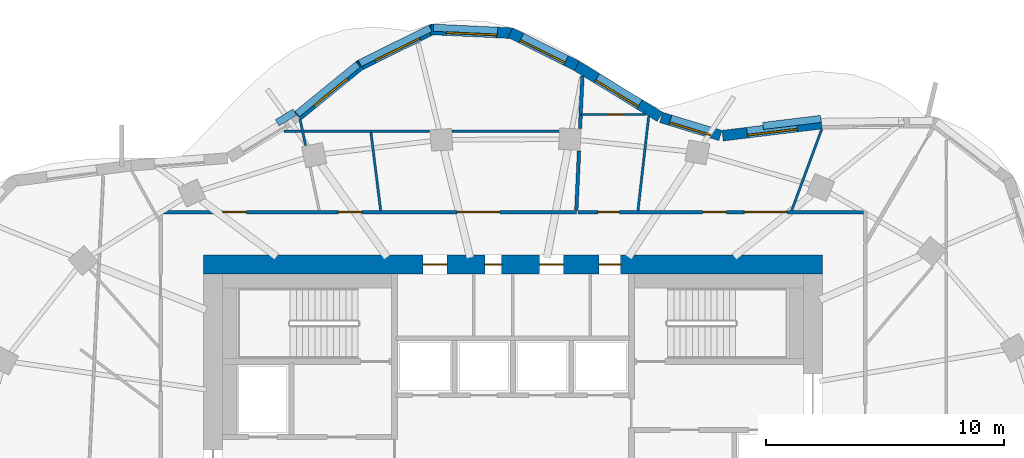
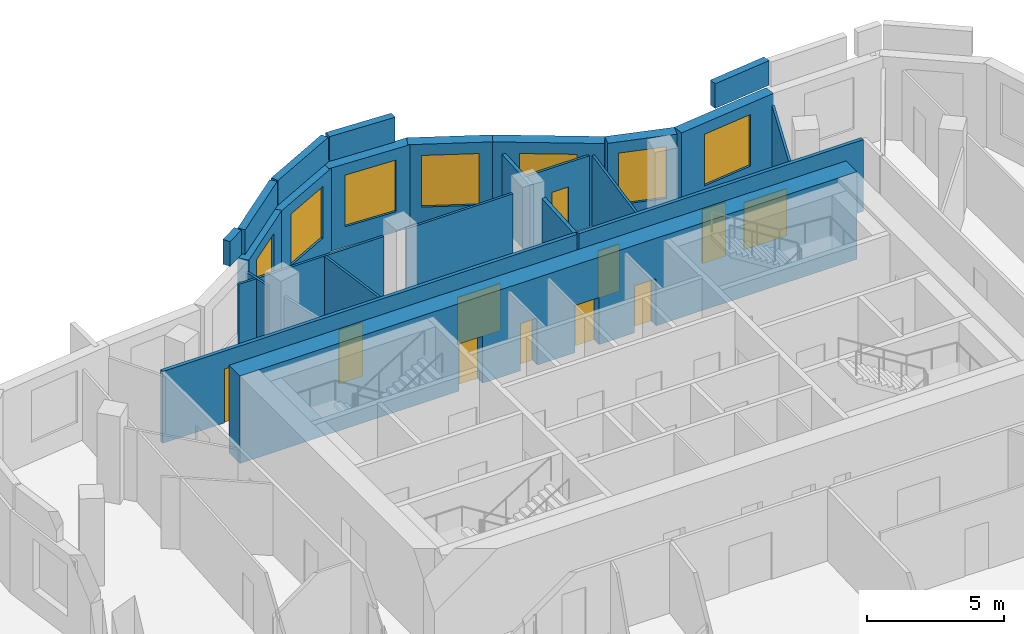
# One storey, part 9 of 12: 24 walls, 11 doors, 7 windows, 18 openings.
"""IFC4 building model written with IfcOpenShell, lengths in metres."""

import ifcopenshell
import ifcopenshell.guid

model = None  # the IFC model being written
_history = None  # IfcOwnerHistory: only IFC2X3 demands one
_inside = {}  # id of a spatial element -> (the spatial element, [elements in it])
_under = {}  # id of a project, library or spatial element -> (it, [spatial elements below it])
_declared = {}  # id of a project -> (the project, [libraries it declares])
_typed = {}  # id of a type object -> (the type object, [elements of that type])
_made_of = {}  # id of a material, layer set ... -> (it, [elements and type objects made of it])


def new_model(schema):
    """Start an empty IFC model of exactly this schema.

    Asked for "IFC4X3", IfcOpenShell would pick the latest addendum, in which some entities
    have other attributes; the version numbers below select the first issue.
    IFC2X3 requires an IfcOwnerHistory on every rooted entity: one is made here for all.
    """
    global model, _history
    if schema == "IFC4X3":
        model = ifcopenshell.file(schema_version=(4, 3, 0, 0))
    else:
        model = ifcopenshell.file(schema=schema)
    _inside.clear()
    _under.clear()
    _declared.clear()
    _typed.clear()
    _made_of.clear()
    _history = None
    if model.schema == "IFC2X3":
        org = make("IfcOrganization", Name="unknown")
        user = make(
            "IfcPersonAndOrganization",
            ThePerson=make("IfcPerson", FamilyName="unknown"),
            TheOrganization=org,
        )
        app = make(
            "IfcApplication",
            ApplicationDeveloper=org,
            Version="unknown",
            ApplicationFullName="unknown",
            ApplicationIdentifier="unknown",
        )
        _history = make(
            "IfcOwnerHistory",
            OwningUser=user,
            OwningApplication=app,
            ChangeAction="ADDED",
            CreationDate=0,
        )
    return model


def make(cls, **values):
    """One entity of the class cls with the attributes given. An attribute that is None is left unset."""
    return model.create_entity(
        cls, **{name: value for name, value in values.items() if value is not None}
    )


def rooted(cls, **values):
    """An entity with a GlobalId (a new one), such as an element, a storey or a relation."""
    return make(cls, GlobalId=ifcopenshell.guid.new(), OwnerHistory=_history, **values)


def si_unit(unit_type, name, prefix=None):
    """IfcSIUnit, for example si_unit("LENGTHUNIT", "METRE", prefix="MILLI")."""
    return make("IfcSIUnit", UnitType=unit_type, Prefix=prefix, Name=name)


def assignment(units):
    """IfcUnitAssignment: the units of a project."""
    return None if units is None else make("IfcUnitAssignment", Units=units)


def point(xyz):
    """IfcCartesianPoint."""
    return None if xyz is None else make("IfcCartesianPoint", Coordinates=xyz)


def direction(xyz):
    """IfcDirection."""
    return None if xyz is None else make("IfcDirection", DirectionRatios=xyz)


def frame(location, z_axis=None, x_axis=None):
    """IfcAxis2Placement3D, a coordinate frame: its origin and axes. An axis left out is left unset."""
    return make(
        "IfcAxis2Placement3D",
        Location=point(location),
        Axis=direction(z_axis),
        RefDirection=direction(x_axis),
    )


def frame_2d(location, x_axis=None):
    """IfcAxis2Placement2D, a coordinate frame in the plane: its origin and x axis."""
    return make(
        "IfcAxis2Placement2D", Location=point(location), RefDirection=direction(x_axis)
    )


def origin():
    """The frame at (0, 0, 0) with its axes left unset."""
    return frame((0.0, 0.0, 0.0))


def place(relative_to, where):
    """IfcLocalPlacement: puts the frame where relative to a parent placement (None: the world)."""
    return make(
        "IfcLocalPlacement", PlacementRelTo=relative_to, RelativePlacement=where
    )


def context(
    kind, dimensions, precision=None, world=None, true_north=None, identifier=None
):
    """IfcGeometricRepresentationContext, for example the 3D "Model" context."""
    return make(
        "IfcGeometricRepresentationContext",
        ContextIdentifier=identifier,
        ContextType=kind,
        CoordinateSpaceDimension=dimensions,
        Precision=precision,
        WorldCoordinateSystem=world,
        TrueNorth=true_north,
    )


def subcontext(parent, identifier, kind, view, scale=None):
    """IfcGeometricRepresentationSubContext, for example "Body" below "Model"."""
    return make(
        "IfcGeometricRepresentationSubContext",
        ContextIdentifier=identifier,
        ContextType=kind,
        ParentContext=parent,
        TargetScale=scale,
        TargetView=view,
    )


def project(units=None, contexts=None):
    """IfcProject with its units and contexts."""
    return rooted(
        "IfcProject",
        Name="project",
        RepresentationContexts=contexts,
        UnitsInContext=assignment(units),
    )


def spatial(cls, under=None, at=None, **own):
    """A site, building, storey or space (cls), placed at a placement, below another one or the project."""
    s = rooted(cls, ObjectPlacement=at, **own)
    if under is not None:
        _under.setdefault(under.id(), (under, []))[1].append(s)
    return s


def profile(cls, at=None, kind="AREA", **sizes):
    """A parametric profile (cls). Its sizes go by their IFC names, for example OverallWidth=200.0."""
    return make(cls, ProfileType=kind, Position=at, **sizes)


def rectangle(**sizes):
    """IfcRectangleProfileDef."""
    return profile("IfcRectangleProfileDef", **sizes)


def extrude(swept, where, along, depth):
    """IfcExtrudedAreaSolid: the profile swept, set in the frame where, extruded along a direction by depth."""
    return make(
        "IfcExtrudedAreaSolid",
        SweptArea=swept,
        Position=where,
        ExtrudedDirection=direction(along),
        Depth=depth,
    )


def shape(context_of_items, identifier, shape_type, items):
    """IfcShapeRepresentation: the items that make up one representation, for example the "Body"."""
    return make(
        "IfcShapeRepresentation",
        ContextOfItems=context_of_items,
        RepresentationIdentifier=identifier,
        RepresentationType=shape_type,
        Items=items,
    )


def material(Name=None, Category=None):
    """IfcMaterial."""
    return make("IfcMaterial", Name=Name, Category=Category)


def layer(
    of_material, thickness, ventilated=None, Name=None, Category=None, Priority=None
):
    """IfcMaterialLayer: one layer of a wall or slab, of a material (None: an air gap)."""
    return make(
        "IfcMaterialLayer",
        Material=of_material,
        LayerThickness=thickness,
        IsVentilated=ventilated,
        Name=Name,
        Category=Category,
        Priority=Priority,
    )


def layer_set(layers, Name=None):
    """IfcMaterialLayerSet."""
    return make("IfcMaterialLayerSet", MaterialLayers=layers, LayerSetName=Name)


def made_of(thing, what):
    """Note that an element or type object is made of a material, layer set ...; save() writes the relation."""
    if what is not None:
        _made_of.setdefault(what.id(), (what, []))[1].append(thing)
    return thing


def type_object(cls, material=None, **own):
    """A type object (cls), such as IfcWallType, which elements share."""
    return made_of(rooted(cls, **own), material)


def element(
    cls,
    number,
    at=None,
    inside=None,
    cuts=None,
    type_object=None,
    material=None,
    context=None,
    identifier="Body",
    shape_type=None,
    held_by="IfcProductDefinitionShape",
    body=None,
    shapes=None,
    **own,
):
    """One element of the class cls, such as IfcWall. Its Tag is "e" and its number.

    at: its placement. inside: the storey or other place that contains it. cuts: it is an
    opening in that element (IfcRelVoidsElement). A single representation is given by context,
    identifier, shape_type and body (its items); several are given by shapes. held_by: the class
    of the entity that holds the representations. save() writes the other relations.
    """
    e = rooted(cls, Tag="e%d" % number, ObjectPlacement=at, **own)
    if body is not None:
        shapes = [shape(context, identifier, shape_type, body)]
    if shapes is not None:
        e.Representation = make(held_by, Representations=shapes)
    if inside is not None:
        _inside.setdefault(inside.id(), (inside, []))[1].append(e)
    if cuts is not None:
        rooted(
            "IfcRelVoidsElement", RelatingBuildingElement=cuts, RelatedOpeningElement=e
        )
    if type_object is not None:
        _typed.setdefault(type_object.id(), (type_object, []))[1].append(e)
    return made_of(e, material)


def fill(opening, filler):
    """IfcRelFillsElement: the door or window that sits in an opening."""
    return rooted(
        "IfcRelFillsElement",
        RelatingOpeningElement=opening,
        RelatedBuildingElement=filler,
    )


def aggregate(whole, parts):
    """IfcRelAggregates: a whole, such as a stair, and the parts it consists of."""
    return rooted("IfcRelAggregates", RelatingObject=whole, RelatedObjects=parts)


def save(model, path):
    """Write the relations noted so far, then the file.

    IfcRelAggregates (storeys below a building ...), IfcRelContainedInSpatialStructure (elements
    in a storey), IfcRelDefinesByType, IfcRelAssociatesMaterial and IfcRelDeclares: one each for
    every whole, place, type object, material and project.
    """
    for whole, parts in _under.values():
        aggregate(whole, parts)
    for where, things in _inside.values():
        rooted(
            "IfcRelContainedInSpatialStructure",
            RelatedElements=things,
            RelatingStructure=where,
        )
    for kind, things in _typed.values():
        rooted("IfcRelDefinesByType", RelatedObjects=things, RelatingType=kind)
    for what, things in _made_of.values():
        rooted("IfcRelAssociatesMaterial", RelatedObjects=things, RelatingMaterial=what)
    for by, libraries in _declared.values():
        rooted("IfcRelDeclares", RelatingContext=by, RelatedDefinitions=libraries)
    model.write(path)


model = new_model("IFC4")

# Units and contexts
model_context = context("Model", 3, precision=1e-05, world=origin(), true_north=direction((0.0, 1.0)))
body_context = subcontext(model_context, "Body", "Model", "MODEL_VIEW")
ifc_project = project(units=[si_unit("LENGTHUNIT", "METRE"), si_unit("AREAUNIT", "SQUARE_METRE"), si_unit("VOLUMEUNIT", "CUBIC_METRE"), si_unit("PLANEANGLEUNIT", "RADIAN"), si_unit("MASSUNIT", "GRAM", prefix="KILO")], contexts=[model_context])

# Site, building, storey
site_placement = place(None, origin())
site = spatial("IfcSite", under=ifc_project, at=site_placement, CompositionType="ELEMENT")
building_placement = place(site_placement, origin())
building = spatial("IfcBuilding", under=site, at=building_placement, Name="Rubra Terraces Tower", CompositionType="ELEMENT")
storey_placement = place(building_placement, frame((0.0, 0.0, 276.60009765625)))
storey = spatial("IfcBuildingStorey", under=building, at=storey_placement, Name="L68", CompositionType="ELEMENT", Elevation=276.60009765625)

# Wall, opening, window
ifc_material_1 = material(Name="Brick masonry red-brown", Category="masonry")
ifc_layer_1 = layer(ifc_material_1, 0.449951171875)
ifc_layer_set_1 = layer_set([ifc_layer_1], Name="Brick masonry red-brown")
wall_type_1 = type_object("IfcWallType", Name="Brick facade wall 450", PredefinedType="SOLIDWALL", material=ifc_layer_set_1)
wall_1_placement = place(storey_placement, frame((12.96337890625, 17.514892578125, 0.0), z_axis=(0.0, 0.0, 1.0), x_axis=(-0.992644852039, -0.121062784211, 0.0)))
wall_1 = element("IfcWall", 1, at=wall_1_placement, inside=storey, type_object=wall_type_1, Name="Facade wall L68 bay 7", PredefinedType="SOLIDWALL", context=body_context, shape_type="SweptSolid", body=[
    extrude(rectangle(XDim=4.1865234375, YDim=0.449951171875, at=frame_2d((2.09326171875, 0.0))), origin(), (0.0, 0.0, 1.0), 3.699951171875),
])
opening_1_placement = place(wall_1_placement, frame((1.04345703125, 0.0, 0.89990234375)))
opening_1 = element("IfcOpeningElement", 2, at=opening_1_placement, cuts=wall_1, Name="Opening W1B", PredefinedType="OPENING", context=body_context, shape_type="SweptSolid", body=[
    extrude(rectangle(XDim=2.10009765625, YDim=2.300048828125, at=frame_2d((1.050048828125, 1.14990234375))), frame((0.0, 0.23486328125, 0.0), z_axis=(0.0, -1.0, 0.0), x_axis=(1.0, 0.0, 0.0)), (0.0, 0.0, 1.0), 0.469970703125),
])
ifc_material_2 = material(Name="Clear glass in aluminium frame", Category="aluminium")
window_type_1 = type_object("IfcWindowType", Name="Fixed deep-set window tall storey 2100 x 2300", PartitioningType="SINGLE_PANEL", PredefinedType="WINDOW", material=ifc_material_2)
window_1_placement = place(opening_1_placement, origin())
window_1 = element("IfcWindow", 3, at=window_1_placement, inside=storey, type_object=window_type_1, Name="Window L68 bay 7", OverallHeight=2.300048828125, OverallWidth=2.10009765625, PartitioningType="SINGLE_PANEL", PredefinedType="WINDOW", context=body_context, shape_type="SweptSolid", body=[
    extrude(rectangle(XDim=2.10009765625, YDim=2.300048828125, at=frame_2d((1.050048828125, 1.14990234375))), frame((0.0, 0.135009765625, 0.0), z_axis=(0.0, -1.0, 0.0), x_axis=(1.0, 0.0, 0.0)), (0.0, 0.0, 1.0), 0.06005859375),
])
fill(opening_1, window_1)

wall_2_placement = place(storey_placement, frame((8.718017578125, 17.0166015625, 0.0), z_axis=(0.0, 0.0, 1.0), x_axis=(-0.956643192195, 0.291262429482, 0.0)))
wall_2 = element("IfcWall", 4, at=wall_2_placement, inside=storey, type_object=wall_type_1, Name="Facade wall L68 bay 8", PredefinedType="SOLIDWALL", context=body_context, shape_type="SweptSolid", body=[
    extrude(rectangle(XDim=2.601806640625, YDim=0.449951171875, at=frame_2d((1.30078125, 0.0))), origin(), (0.0, 0.0, 1.0), 3.699951171875),
])
opening_2_placement = place(wall_2_placement, frame((0.40087890625, 0.0, 0.89990234375)))
opening_2 = element("IfcOpeningElement", 5, at=opening_2_placement, cuts=wall_2, Name="Opening W6B", PredefinedType="OPENING", context=body_context, shape_type="SweptSolid", body=[
    extrude(rectangle(XDim=1.800048828125, YDim=2.300048828125, at=frame_2d((0.89990234375, 1.14990234375))), frame((0.0, 0.23486328125, 0.0), z_axis=(0.0, -1.0, 0.0), x_axis=(1.0, 0.0, 0.0)), (0.0, 0.0, 1.0), 0.469970703125),
])
window_type_2 = type_object("IfcWindowType", Name="Fixed deep-set window at wind fin tall storey 1800 x 2300", PartitioningType="SINGLE_PANEL", PredefinedType="WINDOW", material=ifc_material_2)
window_2_placement = place(opening_2_placement, origin())
window_2 = element("IfcWindow", 6, at=window_2_placement, inside=storey, type_object=window_type_2, Name="Window L68 bay 8", OverallHeight=2.300048828125, OverallWidth=1.800048828125, PartitioningType="SINGLE_PANEL", PredefinedType="WINDOW", context=body_context, shape_type="SweptSolid", body=[
    extrude(rectangle(XDim=1.800048828125, YDim=2.300048828125, at=frame_2d((0.89990234375, 1.14990234375))), frame((0.0, 0.135009765625, 0.0), z_axis=(0.0, -1.0, 0.0), x_axis=(1.0, 0.0, 0.0)), (0.0, 0.0, 1.0), 0.06005859375),
])
fill(opening_2, window_2)

wall_3_placement = place(storey_placement, frame((6.17724609375, 17.797607421875, 0.0), z_axis=(0.0, 0.0, 1.0), x_axis=(-0.852939764965, 0.52200934603, 0.0)))
wall_3 = element("IfcWall", 7, at=wall_3_placement, inside=storey, type_object=wall_type_1, Name="Facade wall L68 bay 9", PredefinedType="SOLIDWALL", context=body_context, shape_type="SweptSolid", body=[
    extrude(rectangle(XDim=4.11279296875, YDim=0.449951171875, at=frame_2d((2.056396484375, 0.0))), origin(), (0.0, 0.0, 1.0), 3.699951171875),
])
opening_3_placement = place(wall_3_placement, frame((1.00634765625, 0.0, 0.89990234375)))
opening_3 = element("IfcOpeningElement", 8, at=opening_3_placement, cuts=wall_3, Name="Opening W1B", PredefinedType="OPENING", context=body_context, shape_type="SweptSolid", body=[
    extrude(rectangle(XDim=2.10009765625, YDim=2.300048828125, at=frame_2d((1.050048828125, 1.14990234375))), frame((0.0, 0.23486328125, 0.0), z_axis=(0.0, -1.0, 0.0), x_axis=(1.0, 0.0, 0.0)), (0.0, 0.0, 1.0), 0.469970703125),
])
window_3_placement = place(opening_3_placement, origin())
window_3 = element("IfcWindow", 9, at=window_3_placement, inside=storey, type_object=window_type_1, Name="Window L68 bay 9", OverallHeight=2.300048828125, OverallWidth=2.10009765625, PartitioningType="SINGLE_PANEL", PredefinedType="WINDOW", context=body_context, shape_type="SweptSolid", body=[
    extrude(rectangle(XDim=2.10009765625, YDim=2.300048828125, at=frame_2d((1.050048828125, 1.14990234375))), frame((0.0, 0.135009765625, 0.0), z_axis=(0.0, -1.0, 0.0), x_axis=(1.0, 0.0, 0.0)), (0.0, 0.0, 1.0), 0.06005859375),
])
fill(opening_3, window_3)

wall_4_placement = place(storey_placement, frame((2.685791015625, 19.935546875, 0.0), z_axis=(0.0, 0.0, 1.0), x_axis=(-0.893533051512, 0.448997422994, 0.0)))
wall_4 = element("IfcWall", 10, at=wall_4_placement, inside=storey, type_object=wall_type_1, Name="Facade wall L68 bay 10", PredefinedType="SOLIDWALL", context=body_context, shape_type="SweptSolid", body=[
    extrude(rectangle(XDim=3.118896484375, YDim=0.449951171875, at=frame_2d((1.5595703125, 0.0))), origin(), (0.0, 0.0, 1.0), 3.699951171875),
])
opening_4_placement = place(wall_4_placement, frame((0.509521484375, 0.0, 0.89990234375)))
opening_4 = element("IfcOpeningElement", 11, at=opening_4_placement, cuts=wall_4, Name="Opening W1B", PredefinedType="OPENING", context=body_context, shape_type="SweptSolid", body=[
    extrude(rectangle(XDim=2.10009765625, YDim=2.300048828125, at=frame_2d((1.050048828125, 1.14990234375))), frame((0.0, 0.23486328125, 0.0), z_axis=(0.0, -1.0, 0.0), x_axis=(1.0, 0.0, 0.0)), (0.0, 0.0, 1.0), 0.469970703125),
])
window_4_placement = place(opening_4_placement, origin())
window_4 = element("IfcWindow", 12, at=window_4_placement, inside=storey, type_object=window_type_1, Name="Window L68 bay 10", OverallHeight=2.300048828125, OverallWidth=2.10009765625, PartitioningType="SINGLE_PANEL", PredefinedType="WINDOW", context=body_context, shape_type="SweptSolid", body=[
    extrude(rectangle(XDim=2.10009765625, YDim=2.300048828125, at=frame_2d((1.050048828125, 1.14990234375))), frame((0.0, 0.135009765625, 0.0), z_axis=(0.0, -1.0, 0.0), x_axis=(1.0, 0.0, 0.0)), (0.0, 0.0, 1.0), 0.06005859375),
])
fill(opening_4, window_4)

wall_5_placement = place(storey_placement, frame((-0.010498046875, 21.312255859375, 0.0), z_axis=(0.0, 0.0, 1.0), x_axis=(-0.998906179907, 0.046759424106, 0.0)))
wall_5 = element("IfcWall", 13, at=wall_5_placement, inside=storey, type_object=wall_type_1, Name="Facade wall L68 bay 11", PredefinedType="SOLIDWALL", context=body_context, shape_type="SweptSolid", body=[
    extrude(rectangle(XDim=3.440673828125, YDim=0.449951171875, at=frame_2d((1.72021484375, 0.0))), origin(), (0.0, 0.0, 1.0), 3.699951171875),
])
opening_5_placement = place(wall_5_placement, frame((0.67041015625, 0.0, 0.89990234375)))
opening_5 = element("IfcOpeningElement", 14, at=opening_5_placement, cuts=wall_5, Name="Opening W1B", PredefinedType="OPENING", context=body_context, shape_type="SweptSolid", body=[
    extrude(rectangle(XDim=2.10009765625, YDim=2.300048828125, at=frame_2d((1.050048828125, 1.14990234375))), frame((0.0, 0.23486328125, 0.0), z_axis=(0.0, -1.0, 0.0), x_axis=(1.0, 0.0, 0.0)), (0.0, 0.0, 1.0), 0.469970703125),
])
window_5_placement = place(opening_5_placement, origin())
window_5 = element("IfcWindow", 15, at=window_5_placement, inside=storey, type_object=window_type_1, Name="Window L68 bay 11", OverallHeight=2.300048828125, OverallWidth=2.10009765625, PartitioningType="SINGLE_PANEL", PredefinedType="WINDOW", context=body_context, shape_type="SweptSolid", body=[
    extrude(rectangle(XDim=2.10009765625, YDim=2.300048828125, at=frame_2d((1.050048828125, 1.14990234375))), frame((0.0, 0.135009765625, 0.0), z_axis=(0.0, -1.0, 0.0), x_axis=(1.0, 0.0, 0.0)), (0.0, 0.0, 1.0), 0.06005859375),
])
fill(opening_5, window_5)

wall_6_placement = place(storey_placement, frame((-3.33740234375, 21.496337890625, 0.0), z_axis=(0.0, 0.0, 1.0), x_axis=(-0.896526715328, -0.442989671103, 0.0)))
wall_6 = element("IfcWall", 16, at=wall_6_placement, inside=storey, type_object=wall_type_1, Name="Facade wall L68 bay 12", PredefinedType="SOLIDWALL", context=body_context, shape_type="SweptSolid", body=[
    extrude(rectangle(XDim=3.47216796875, YDim=0.449951171875, at=frame_2d((1.736083984375, 0.0))), origin(), (0.0, 0.0, 1.0), 3.699951171875),
])
opening_6_placement = place(wall_6_placement, frame((0.68603515625, 0.0, 0.89990234375)))
opening_6 = element("IfcOpeningElement", 17, at=opening_6_placement, cuts=wall_6, Name="Opening W1B", PredefinedType="OPENING", context=body_context, shape_type="SweptSolid", body=[
    extrude(rectangle(XDim=2.10009765625, YDim=2.300048828125, at=frame_2d((1.050048828125, 1.14990234375))), frame((0.0, 0.23486328125, 0.0), z_axis=(0.0, -1.0, 0.0), x_axis=(1.0, 0.0, 0.0)), (0.0, 0.0, 1.0), 0.469970703125),
])
window_6_placement = place(opening_6_placement, origin())
window_6 = element("IfcWindow", 18, at=window_6_placement, inside=storey, type_object=window_type_1, Name="Window L68 bay 12", OverallHeight=2.300048828125, OverallWidth=2.10009765625, PartitioningType="SINGLE_PANEL", PredefinedType="WINDOW", context=body_context, shape_type="SweptSolid", body=[
    extrude(rectangle(XDim=2.10009765625, YDim=2.300048828125, at=frame_2d((1.050048828125, 1.14990234375))), frame((0.0, 0.135009765625, 0.0), z_axis=(0.0, -1.0, 0.0), x_axis=(1.0, 0.0, 0.0)), (0.0, 0.0, 1.0), 0.06005859375),
])
fill(opening_6, window_6)

wall_7_placement = place(storey_placement, frame((-6.410888671875, 19.983154296875, 0.0), z_axis=(0.0, 0.0, 1.0), x_axis=(-0.774810240287, -0.632193871804, 0.0)))
wall_7 = element("IfcWall", 19, at=wall_7_placement, inside=storey, type_object=wall_type_1, Name="Facade wall L68 bay 13", PredefinedType="SOLIDWALL", context=body_context, shape_type="SweptSolid", body=[
    extrude(rectangle(XDim=3.389404296875, YDim=0.449951171875, at=frame_2d((1.69482421875, 0.0))), origin(), (0.0, 0.0, 1.0), 3.699951171875),
])
opening_7_placement = place(wall_7_placement, frame((0.794677734375, 0.0, 0.89990234375)))
opening_7 = element("IfcOpeningElement", 20, at=opening_7_placement, cuts=wall_7, Name="Opening W6B", PredefinedType="OPENING", context=body_context, shape_type="SweptSolid", body=[
    extrude(rectangle(XDim=1.800048828125, YDim=2.300048828125, at=frame_2d((0.89990234375, 1.14990234375))), frame((0.0, 0.23486328125, 0.0), z_axis=(0.0, -1.0, 0.0), x_axis=(1.0, 0.0, 0.0)), (0.0, 0.0, 1.0), 0.469970703125),
])
window_7_placement = place(opening_7_placement, origin())
window_7 = element("IfcWindow", 21, at=window_7_placement, inside=storey, type_object=window_type_2, Name="Window L68 bay 13", OverallHeight=2.300048828125, OverallWidth=1.800048828125, PartitioningType="SINGLE_PANEL", PredefinedType="WINDOW", context=body_context, shape_type="SweptSolid", body=[
    extrude(rectangle(XDim=1.800048828125, YDim=2.300048828125, at=frame_2d((0.89990234375, 1.14990234375))), frame((0.0, 0.135009765625, 0.0), z_axis=(0.0, -1.0, 0.0), x_axis=(1.0, 0.0, 0.0)), (0.0, 0.0, 1.0), 0.06005859375),
])
fill(opening_7, window_7)

# Walls
ifc_layer_2 = layer(ifc_material_1, 0.300048828125)
ifc_layer_set_2 = layer_set([ifc_layer_2], Name="Brick masonry red-brown")
wall_type_2 = type_object("IfcWallType", Name="Brick parapet 300", PredefinedType="PARAPET", material=ifc_layer_set_2)
wall_8_placement = place(storey_placement, frame((12.9423828125, 17.71435546875, 3.89990234375), z_axis=(0.0, 0.0, 1.0), x_axis=(-0.992648796767, -0.121030435331, 0.0)))
element("IfcWall", 22, at=wall_8_placement, inside=storey, type_object=wall_type_2, Name="Parapet L68 bay 7", PredefinedType="PARAPET", context=body_context, shape_type="SweptSolid", body=[
    extrude(rectangle(XDim=2.450927734375, YDim=0.300048828125, at=frame_2d((1.2255859375, 0.0))), origin(), (0.0, 0.0, 1.0), 1.10009765625),
])
wall_9_placement = place(storey_placement, frame((-0.639892578125, 21.416748046875, 3.89990234375), z_axis=(0.0, 0.0, 1.0), x_axis=(-0.998902248936, 0.046843324728, 0.0)))
element("IfcWall", 23, at=wall_9_placement, inside=storey, type_object=wall_type_2, Name="Parapet L68 bay 11", PredefinedType="PARAPET", context=body_context, shape_type="SweptSolid", body=[
    extrude(rectangle(XDim=2.69970703125, YDim=0.300048828125, at=frame_2d((1.349853515625, 0.0))), origin(), (0.0, 0.0, 1.0), 1.10009765625),
])
wall_10_placement = place(storey_placement, frame((-3.467041015625, 21.515869140625, 3.89990234375), z_axis=(0.0, 0.0, 1.0), x_axis=(-0.896532590338, -0.442977781003, 0.0)))
element("IfcWall", 24, at=wall_10_placement, inside=storey, type_object=wall_type_2, Name="Parapet L68 bay 12", PredefinedType="PARAPET", context=body_context, shape_type="SweptSolid", body=[
    extrude(rectangle(XDim=3.30078125, YDim=0.300048828125, at=frame_2d((1.650390625, 0.0))), origin(), (0.0, 0.0, 1.0), 1.10009765625),
])
wall_11_placement = place(storey_placement, frame((-6.5048828125, 20.00341796875, 3.89990234375), z_axis=(0.0, 0.0, 1.0), x_axis=(-0.774774389425, -0.632237807705, 0.0)))
element("IfcWall", 25, at=wall_11_placement, inside=storey, type_object=wall_type_2, Name="Parapet L68 bay 13", PredefinedType="PARAPET", context=body_context, shape_type="SweptSolid", body=[
    extrude(rectangle(XDim=3.298828125, YDim=0.300048828125, at=frame_2d((1.6494140625, 0.0))), origin(), (0.0, 0.0, 1.0), 1.10009765625),
])
wall_12_placement = place(storey_placement, frame((-9.164306640625, 17.9970703125, 3.89990234375), z_axis=(0.0, 0.0, 1.0), x_axis=(-0.854630396294, -0.519236830098, 0.0)))
element("IfcWall", 26, at=wall_12_placement, inside=storey, type_object=wall_type_2, Name="Parapet L68 bay 14", PredefinedType="PARAPET", context=body_context, shape_type="SweptSolid", body=[
    extrude(rectangle(XDim=0.86181640625, YDim=0.300048828125, at=frame_2d((0.430908203125, 0.0))), origin(), (0.0, 0.0, 1.0), 1.10009765625),
])

# Wall, openings, doors
ifc_material_3 = material(Name="Concrete C50", Category="concrete")
ifc_layer_3 = layer(ifc_material_3, 0.800048828125)
ifc_layer_set_3 = layer_set([ifc_layer_3], Name="Concrete C50")
wall_type_3 = type_object("IfcWallType", Name="CORE WALL 800 C50", PredefinedType="SHEAR", material=ifc_layer_set_3)
wall_13_placement = place(storey_placement, frame((-13.0, 11.60009765625, 0.0), z_axis=(0.0, 0.0, 1.0), x_axis=(1.0, 0.0, 0.0)))
wall_13 = element("IfcWall", 27, at=wall_13_placement, inside=storey, type_object=wall_type_3, Name="CORE WALL N L68", PredefinedType="SHEAR", context=body_context, shape_type="SweptSolid", body=[
    extrude(rectangle(XDim=26.0, YDim=0.800048828125, at=frame_2d((13.0, 0.0))), origin(), (0.0, 0.0, 1.0), 3.89990234375),
])
opening_8_placement = place(wall_13_placement, frame((9.22509765625, 0.0, 0.0)))
opening_8 = element("IfcOpeningElement", 28, at=opening_8_placement, cuts=wall_13, Name="Opening L68.C25", PredefinedType="OPENING", context=body_context, shape_type="SweptSolid", body=[
    extrude(rectangle(XDim=1.0, YDim=2.10009765625, at=frame_2d((0.5, 1.050048828125))), frame((0.0, 0.409912109375, 0.0), z_axis=(0.0, -1.0, 0.0), x_axis=(1.0, 0.0, 0.0)), (0.0, 0.0, 1.0), 0.820068359375),
])
opening_9_placement = place(wall_13_placement, frame((11.824951171875, 0.0, 0.0)))
opening_9 = element("IfcOpeningElement", 29, at=opening_9_placement, cuts=wall_13, Name="Opening L68.C26", PredefinedType="OPENING", context=body_context, shape_type="SweptSolid", body=[
    extrude(rectangle(XDim=0.699951171875, YDim=2.10009765625, at=frame_2d((0.35009765625, 1.050048828125))), frame((0.0, 0.409912109375, 0.0), z_axis=(0.0, -1.0, 0.0), x_axis=(1.0, 0.0, 0.0)), (0.0, 0.0, 1.0), 0.820068359375),
])
opening_10_placement = place(wall_13_placement, frame((14.125, 0.0, 0.0)))
opening_10 = element("IfcOpeningElement", 30, at=opening_10_placement, cuts=wall_13, Name="Opening L68.C27", PredefinedType="OPENING", context=body_context, shape_type="SweptSolid", body=[
    extrude(rectangle(XDim=1.0, YDim=2.10009765625, at=frame_2d((0.5, 1.050048828125))), frame((0.0, 0.409912109375, 0.0), z_axis=(0.0, -1.0, 0.0), x_axis=(1.0, 0.0, 0.0)), (0.0, 0.0, 1.0), 0.820068359375),
])
opening_11_placement = place(wall_13_placement, frame((16.625, 0.0, 0.0)))
opening_11 = element("IfcOpeningElement", 31, at=opening_11_placement, cuts=wall_13, Name="Opening L68.C28", PredefinedType="OPENING", context=body_context, shape_type="SweptSolid", body=[
    extrude(rectangle(XDim=0.89990234375, YDim=2.10009765625, at=frame_2d((0.449951171875, 1.050048828125))), frame((0.0, 0.409912109375, 0.0), z_axis=(0.0, -1.0, 0.0), x_axis=(1.0, 0.0, 0.0)), (0.0, 0.0, 1.0), 0.820068359375),
])
ifc_material_4 = material(Name="Painted steel", Category="steel")
door_type_1 = type_object("IfcDoorType", Name="Fire door 1000x2100 single", OperationType="NOTDEFINED", PredefinedType="DOOR", material=ifc_material_4)
door_1_placement = place(opening_8_placement, origin())
door_1 = element("IfcDoor", 32, at=door_1_placement, inside=storey, type_object=door_type_1, Name="Guest pantry door", OperationType="SINGLE_SWING_LEFT", OverallHeight=2.10009765625, OverallWidth=1.0, PredefinedType="DOOR", context=body_context, shape_type="SweptSolid", body=[
    extrude(rectangle(XDim=1.0, YDim=2.10009765625, at=frame_2d((0.5, 1.050048828125))), frame((0.0, 0.02490234375, 0.0), z_axis=(0.0, -1.0, 0.0), x_axis=(1.0, 0.0, 0.0)), (0.0, 0.0, 1.0), 0.050048828125),
])
fill(opening_8, door_1)
door_2_placement = place(opening_10_placement, origin())
door_2 = element("IfcDoor", 33, at=door_2_placement, inside=storey, type_object=door_type_1, Name="Security and building control room door", OperationType="SINGLE_SWING_LEFT", OverallHeight=2.10009765625, OverallWidth=1.0, PredefinedType="DOOR", context=body_context, shape_type="SweptSolid", body=[
    extrude(rectangle(XDim=1.0, YDim=2.10009765625, at=frame_2d((0.5, 1.050048828125))), frame((0.0, 0.02490234375, 0.0), z_axis=(0.0, -1.0, 0.0), x_axis=(1.0, 0.0, 0.0)), (0.0, 0.0, 1.0), 0.050048828125),
])
fill(opening_10, door_2)
door_type_2 = type_object("IfcDoorType", Name="Fire door 900x2100 single", OperationType="NOTDEFINED", PredefinedType="DOOR", material=ifc_material_4)
door_3_placement = place(opening_11_placement, origin())
door_3 = element("IfcDoor", 34, at=door_3_placement, inside=storey, type_object=door_type_2, Name="Cleaner's store door", OperationType="SINGLE_SWING_RIGHT", OverallHeight=2.10009765625, OverallWidth=0.89990234375, PredefinedType="DOOR", context=body_context, shape_type="SweptSolid", body=[
    extrude(rectangle(XDim=0.89990234375, YDim=2.10009765625, at=frame_2d((0.449951171875, 1.050048828125))), frame((0.0, 0.02490234375, 0.0), z_axis=(0.0, -1.0, 0.0), x_axis=(1.0, 0.0, 0.0)), (0.0, 0.0, 1.0), 0.050048828125),
])
fill(opening_11, door_3)
door_type_3 = type_object("IfcDoorType", Name="Riser access door 700x2100 single", OperationType="NOTDEFINED", PredefinedType="DOOR", material=ifc_material_4)
door_4_placement = place(opening_9_placement, origin())
door_4 = element("IfcDoor", 35, at=door_4_placement, inside=storey, type_object=door_type_3, Name="Electrical riser room door", OperationType="SINGLE_SWING_RIGHT", OverallHeight=2.10009765625, OverallWidth=0.699951171875, PredefinedType="DOOR", context=body_context, shape_type="SweptSolid", body=[
    extrude(rectangle(XDim=0.699951171875, YDim=2.10009765625, at=frame_2d((0.35009765625, 1.050048828125))), frame((0.0, 0.02490234375, 0.0), z_axis=(0.0, -1.0, 0.0), x_axis=(1.0, 0.0, 0.0)), (0.0, 0.0, 1.0), 0.050048828125),
])
fill(opening_9, door_4)

ifc_material_5 = material(Name="Plasterboard on steel stud, mineral wool infill", Category="steel")
ifc_layer_4 = layer(ifc_material_5, 0.14990234375)
ifc_layer_set_4 = layer_set([ifc_layer_4], Name="Plasterboard on steel stud, mineral wool infill")
wall_type_4 = type_object("IfcWallType", Name="CORRIDOR PARTITION 150", PredefinedType="PARTITIONING", material=ifc_layer_set_4)
wall_14_placement = place(storey_placement, frame((2.662109375, 13.800048828125, 0.0), z_axis=(0.0, 0.0, 1.0), x_axis=(-1.0, 0.0, 0.0)))
wall_14 = element("IfcWall", 36, at=wall_14_placement, inside=storey, type_object=wall_type_4, Name="PARTITION", PredefinedType="PARTITIONING", context=body_context, shape_type="SweptSolid", body=[
    extrude(rectangle(XDim=17.462158203125, YDim=0.14990234375, at=frame_2d((8.73095703125, 0.0))), origin(), (0.0, 0.0, 1.0), 3.197998046875),
])
opening_12_placement = place(wall_14_placement, frame((3.2041015625, 0.0, 0.0)))
opening_12 = element("IfcOpeningElement", 37, at=opening_12_placement, cuts=wall_14, Name="Opening 68-101", PredefinedType="OPENING", context=body_context, shape_type="SweptSolid", body=[
    extrude(rectangle(XDim=1.800048828125, YDim=2.10009765625, at=frame_2d((0.89990234375, 1.050048828125))), frame((0.0, 0.0849609375, 0.0), z_axis=(0.0, -1.0, 0.0), x_axis=(1.0, 0.0, 0.0)), (0.0, 0.0, 1.0), 0.169921875),
])
opening_13_placement = place(wall_14_placement, frame((8.9970703125, 0.0, 0.0)))
opening_13 = element("IfcOpeningElement", 38, at=opening_13_placement, cuts=wall_14, Name="Opening 68-102", PredefinedType="OPENING", context=body_context, shape_type="SweptSolid", body=[
    extrude(rectangle(XDim=1.0, YDim=2.39990234375, at=frame_2d((0.5, 1.199951171875))), frame((0.0, 0.0849609375, 0.0), z_axis=(0.0, -1.0, 0.0), x_axis=(1.0, 0.0, 0.0)), (0.0, 0.0, 1.0), 0.169921875),
])
opening_14_placement = place(wall_14_placement, frame((13.85498046875, 0.0, 0.0)))
opening_14 = element("IfcOpeningElement", 39, at=opening_14_placement, cuts=wall_14, Name="Opening 68-103", PredefinedType="OPENING", context=body_context, shape_type="SweptSolid", body=[
    extrude(rectangle(XDim=1.0, YDim=2.39990234375, at=frame_2d((0.5, 1.199951171875))), frame((0.0, 0.0849609375, 0.0), z_axis=(0.0, -1.0, 0.0), x_axis=(1.0, 0.0, 0.0)), (0.0, 0.0, 1.0), 0.169921875),
])
ifc_material_6 = material(Name="Glazed aluminium meeting door leaf", Category="aluminium")
door_type_4 = type_object("IfcDoorType", Name="MEETING ROOM GLAZED DOOR 1000 X 2400", OperationType="SINGLE_SWING_LEFT", PredefinedType="DOOR", material=ifc_material_6)
door_5_placement = place(opening_13_placement, origin())
door_5 = element("IfcDoor", 40, at=door_5_placement, inside=storey, type_object=door_type_4, Name="DOOR 68-102", OperationType="SINGLE_SWING_RIGHT", OverallHeight=2.39990234375, OverallWidth=1.0, PredefinedType="DOOR", context=body_context, shape_type="SweptSolid", body=[
    extrude(rectangle(XDim=1.0, YDim=2.39990234375, at=frame_2d((0.5, 1.199951171875))), frame((0.0, 0.02490234375, 0.0), z_axis=(0.0, -1.0, 0.0), x_axis=(1.0, 0.0, 0.0)), (0.0, 0.0, 1.0), 0.050048828125),
])
fill(opening_13, door_5)
door_6_placement = place(opening_14_placement, origin())
door_6 = element("IfcDoor", 41, at=door_6_placement, inside=storey, type_object=door_type_4, Name="DOOR 68-103", OperationType="SINGLE_SWING_RIGHT", OverallHeight=2.39990234375, OverallWidth=1.0, PredefinedType="DOOR", context=body_context, shape_type="SweptSolid", body=[
    extrude(rectangle(XDim=1.0, YDim=2.39990234375, at=frame_2d((0.5, 1.199951171875))), frame((0.0, 0.02490234375, 0.0), z_axis=(0.0, -1.0, 0.0), x_axis=(1.0, 0.0, 0.0)), (0.0, 0.0, 1.0), 0.050048828125),
])
fill(opening_14, door_6)
ifc_material_7 = material(Name="Painted timber door leaf, double", Category="wood")
door_type_5 = type_object("IfcDoorType", Name="ROOM DOUBLE DOOR 1800 X 2100", OperationType="DOUBLE_DOOR_SINGLE_SWING", PredefinedType="DOOR", material=ifc_material_7)
door_7_placement = place(opening_12_placement, origin())
door_7 = element("IfcDoor", 42, at=door_7_placement, inside=storey, type_object=door_type_5, Name="DOOR 68-101", OperationType="DOUBLE_DOOR_SINGLE_SWING", OverallHeight=2.10009765625, OverallWidth=1.800048828125, PredefinedType="DOOR", context=body_context, shape_type="SweptSolid", body=[
    extrude(rectangle(XDim=1.800048828125, YDim=2.10009765625, at=frame_2d((0.89990234375, 1.050048828125))), frame((0.0, 0.02490234375, 0.0), z_axis=(0.0, -1.0, 0.0), x_axis=(1.0, 0.0, 0.0)), (0.0, 0.0, 1.0), 0.050048828125),
])
fill(opening_12, door_7)

wall_15_placement = place(storey_placement, frame((14.72509765625, 13.800048828125, 0.0), z_axis=(0.0, 0.0, 1.0), x_axis=(-1.0, 0.0, 0.0)))
wall_15 = element("IfcWall", 43, at=wall_15_placement, inside=storey, type_object=wall_type_4, Name="PARTITION", PredefinedType="PARTITIONING", context=body_context, shape_type="SweptSolid", body=[
    extrude(rectangle(XDim=11.98779296875, YDim=0.14990234375, at=frame_2d((5.993896484375, 0.0))), origin(), (0.0, 0.0, 1.0), 3.197998046875),
])
opening_15_placement = place(wall_15_placement, frame((3.199951171875, 0.0, 0.0)))
opening_15 = element("IfcOpeningElement", 44, at=opening_15_placement, cuts=wall_15, Name="Opening 68-120", PredefinedType="OPENING", context=body_context, shape_type="SweptSolid", body=[
    extrude(rectangle(XDim=1.800048828125, YDim=2.10009765625, at=frame_2d((0.89990234375, 1.050048828125))), frame((0.0, 0.0849609375, 0.0), z_axis=(0.0, -1.0, 0.0), x_axis=(1.0, 0.0, 0.0)), (0.0, 0.0, 1.0), 0.169921875),
])
opening_16_placement = place(wall_15_placement, frame((5.757080078125, 0.0, 0.0)))
opening_16 = element("IfcOpeningElement", 45, at=opening_16_placement, cuts=wall_15, Name="Opening 68-122", PredefinedType="OPENING", context=body_context, shape_type="SweptSolid", body=[
    extrude(rectangle(XDim=1.0, YDim=2.39990234375, at=frame_2d((0.5, 1.199951171875))), frame((0.0, 0.0849609375, 0.0), z_axis=(0.0, -1.0, 0.0), x_axis=(1.0, 0.0, 0.0)), (0.0, 0.0, 1.0), 0.169921875),
])
opening_17_placement = place(wall_15_placement, frame((10.25, 0.0, 0.0)))
opening_17 = element("IfcOpeningElement", 46, at=opening_17_placement, cuts=wall_15, Name="Opening 68-126", PredefinedType="OPENING", context=body_context, shape_type="SweptSolid", body=[
    extrude(rectangle(XDim=0.89990234375, YDim=2.10009765625, at=frame_2d((0.449951171875, 1.050048828125))), frame((0.0, 0.0849609375, 0.0), z_axis=(0.0, -1.0, 0.0), x_axis=(1.0, 0.0, 0.0)), (0.0, 0.0, 1.0), 0.169921875),
])
ifc_material_8 = material(Name="Painted timber door leaf", Category="wood")
door_type_6 = type_object("IfcDoorType", Name="BATHROOM DOOR 900 X 2100", OperationType="SINGLE_SWING_LEFT", PredefinedType="DOOR", material=ifc_material_8)
door_8_placement = place(opening_17_placement, origin())
door_8 = element("IfcDoor", 47, at=door_8_placement, inside=storey, type_object=door_type_6, Name="DOOR 68-126", OperationType="SINGLE_SWING_RIGHT", OverallHeight=2.10009765625, OverallWidth=0.89990234375, PredefinedType="DOOR", context=body_context, shape_type="SweptSolid", body=[
    extrude(rectangle(XDim=0.89990234375, YDim=2.10009765625, at=frame_2d((0.449951171875, 1.050048828125))), frame((0.0, 0.02490234375, 0.0), z_axis=(0.0, -1.0, 0.0), x_axis=(1.0, 0.0, 0.0)), (0.0, 0.0, 1.0), 0.050048828125),
])
fill(opening_17, door_8)
door_9_placement = place(opening_16_placement, origin())
door_9 = element("IfcDoor", 48, at=door_9_placement, inside=storey, type_object=door_type_4, Name="DOOR 68-122", OperationType="SINGLE_SWING_RIGHT", OverallHeight=2.39990234375, OverallWidth=1.0, PredefinedType="DOOR", context=body_context, shape_type="SweptSolid", body=[
    extrude(rectangle(XDim=1.0, YDim=2.39990234375, at=frame_2d((0.5, 1.199951171875))), frame((0.0, 0.02490234375, 0.0), z_axis=(0.0, -1.0, 0.0), x_axis=(1.0, 0.0, 0.0)), (0.0, 0.0, 1.0), 0.050048828125),
])
fill(opening_16, door_9)
door_10_placement = place(opening_15_placement, origin())
door_10 = element("IfcDoor", 49, at=door_10_placement, inside=storey, type_object=door_type_5, Name="DOOR 68-120", OperationType="DOUBLE_DOOR_SINGLE_SWING", OverallHeight=2.10009765625, OverallWidth=1.800048828125, PredefinedType="DOOR", context=body_context, shape_type="SweptSolid", body=[
    extrude(rectangle(XDim=1.800048828125, YDim=2.10009765625, at=frame_2d((0.89990234375, 1.050048828125))), frame((0.0, 0.02490234375, 0.0), z_axis=(0.0, -1.0, 0.0), x_axis=(1.0, 0.0, 0.0)), (0.0, 0.0, 1.0), 0.050048828125),
])
fill(opening_15, door_10)

# Walls
ifc_material_9 = material(Name="Plasterboard on steel stud", Category="steel")
ifc_layer_5 = layer(ifc_material_9, 0.10009765625)
ifc_layer_set_5 = layer_set([ifc_layer_5], Name="Plasterboard on steel stud")
wall_type_5 = type_object("IfcWallType", Name="ROOM PARTITION 100", PredefinedType="PARTITIONING", material=ifc_layer_set_5)
wall_16_placement = place(storey_placement, frame((-9.606689453125, 17.199951171875, 0.0), z_axis=(0.0, 0.0, 1.0), x_axis=(1.0, 0.0, 0.0)))
element("IfcWall", 50, at=wall_16_placement, inside=storey, type_object=wall_type_5, Name="PARTITION", PredefinedType="PARTITIONING", context=body_context, shape_type="SweptSolid", body=[
    extrude(rectangle(XDim=6.114013671875, YDim=0.10009765625, at=frame_2d((3.05712890625, 0.0))), origin(), (0.0, 0.0, 1.0), 3.183837890625),
])
wall_17_placement = place(storey_placement, frame((-2.55078125, 17.199951171875, 0.0), z_axis=(0.0, 0.0, 1.0), x_axis=(1.0, 0.0, 0.0)))
element("IfcWall", 51, at=wall_17_placement, inside=storey, type_object=wall_type_5, Name="PARTITION", PredefinedType="PARTITIONING", context=body_context, shape_type="SweptSolid", body=[
    extrude(rectangle(XDim=4.48876953125, YDim=0.10009765625, at=frame_2d((2.244384765625, 0.0))), origin(), (0.0, 0.0, 1.0), 3.183837890625),
])
wall_18_placement = place(storey_placement, frame((-5.55615234375, 13.87451171875, 0.0), z_axis=(0.0, 0.0, 1.0), x_axis=(-0.123361123782, 0.99236184587, 0.0)))
element("IfcWall", 52, at=wall_18_placement, inside=storey, type_object=wall_type_5, Name="PARTITION", PredefinedType="PARTITIONING", context=body_context, shape_type="SweptSolid", body=[
    extrude(rectangle(XDim=3.301025390625, YDim=0.10009765625, at=frame_2d((1.650390625, 0.0))), origin(), (0.0, 0.0, 1.0), 3.183837890625),
])
wall_19_placement = place(storey_placement, frame((-8.708984375, 16.59521484375, 0.0), z_axis=(0.0, 0.0, 1.0), x_axis=(-0.205700213962, 0.978615053009, 0.0)))
element("IfcWall", 53, at=wall_19_placement, inside=storey, type_object=wall_type_5, Name="PARTITION", PredefinedType="PARTITIONING", context=body_context, shape_type="SweptSolid", body=[
    extrude(rectangle(XDim=1.150146484375, YDim=0.10009765625, at=frame_2d((0.5751953125, 0.0))), origin(), (0.0, 0.0, 1.0), 3.183837890625),
])

# Wall, opening, door
wall_20_placement = place(storey_placement, frame((2.86767578125, 17.89990234375, 0.0), z_axis=(0.0, 0.0, 1.0), x_axis=(1.0, 0.0, 0.0)))
wall_20 = element("IfcWall", 54, at=wall_20_placement, inside=storey, type_object=wall_type_5, Name="PARTITION", PredefinedType="PARTITIONING", context=body_context, shape_type="SweptSolid", body=[
    extrude(rectangle(XDim=2.70361328125, YDim=0.10009765625, at=frame_2d((1.351806640625, 0.0))), origin(), (0.0, 0.0, 1.0), 3.183837890625),
])
opening_18_placement = place(wall_20_placement, frame((1.10888671875, 0.0, 0.0)))
opening_18 = element("IfcOpeningElement", 55, at=opening_18_placement, cuts=wall_20, Name="Opening 68-123", PredefinedType="OPENING", context=body_context, shape_type="SweptSolid", body=[
    extrude(rectangle(XDim=0.699951171875, YDim=2.10009765625, at=frame_2d((0.35009765625, 1.050048828125))), frame((0.0, 0.06005859375, 0.0), z_axis=(0.0, -1.0, 0.0), x_axis=(1.0, 0.0, 0.0)), (0.0, 0.0, 1.0), 0.1201171875),
])
door_type_7 = type_object("IfcDoorType", Name="STORE DOOR 700 X 2100", OperationType="SINGLE_SWING_LEFT", PredefinedType="DOOR", material=ifc_material_8)
door_11_placement = place(opening_18_placement, origin())
door_11 = element("IfcDoor", 56, at=door_11_placement, inside=storey, type_object=door_type_7, Name="DOOR 68-123", OperationType="SINGLE_SWING_LEFT", OverallHeight=2.10009765625, OverallWidth=0.699951171875, PredefinedType="DOOR", context=body_context, shape_type="SweptSolid", body=[
    extrude(rectangle(XDim=0.699951171875, YDim=2.10009765625, at=frame_2d((0.35009765625, 1.050048828125))), frame((0.0, 0.02490234375, 0.0), z_axis=(0.0, -1.0, 0.0), x_axis=(1.0, 0.0, 0.0)), (0.0, 0.0, 1.0), 0.050048828125),
])
fill(opening_18, door_11)

# Walls
wall_21_placement = place(storey_placement, frame((11.713623046875, 13.870361328125, 0.0), z_axis=(0.0, 0.0, 1.0), x_axis=(0.346665533997, 0.937988809922, 0.0)))
element("IfcWall", 57, at=wall_21_placement, inside=storey, type_object=wall_type_5, Name="PARTITION", PredefinedType="PARTITIONING", context=body_context, shape_type="SweptSolid", body=[
    extrude(rectangle(XDim=3.640380859375, YDim=0.10009765625, at=frame_2d((1.8203125, 0.0))), origin(), (0.0, 0.0, 1.0), 3.183837890625),
])
wall_22_placement = place(storey_placement, frame((5.256103515625, 13.87451171875, 0.0), z_axis=(0.0, 0.0, 1.0), x_axis=(0.11286138732, 0.993610742319, 0.0)))
element("IfcWall", 58, at=wall_22_placement, inside=storey, type_object=wall_type_5, Name="PARTITION", PredefinedType="PARTITIONING", context=body_context, shape_type="SweptSolid", body=[
    extrude(rectangle(XDim=3.969482421875, YDim=0.10009765625, at=frame_2d((1.98486328125, 0.0))), origin(), (0.0, 0.0, 1.0), 3.183837890625),
])
ifc_layer_6 = layer(ifc_material_9, 0.14990234375)
ifc_layer_set_6 = layer_set([ifc_layer_6], Name="Plasterboard on steel stud")
wall_type_6 = type_object("IfcWallType", Name="ROOM PARTITION 150", PredefinedType="PARTITIONING", material=ifc_layer_set_6)
wall_23_placement = place(storey_placement, frame((2.9208984375, 19.522216796875, 0.0), z_axis=(0.0, 0.0, 1.0), x_axis=(-0.045122409645, -0.998981465368, 0.0)))
element("IfcWall", 59, at=wall_23_placement, inside=storey, type_object=wall_type_6, Name="PARTITION", PredefinedType="PARTITIONING", context=body_context, shape_type="SweptSolid", body=[
    extrude(rectangle(XDim=2.212890625, YDim=0.14990234375, at=frame_2d((1.1064453125, 0.0))), origin(), (0.0, 0.0, 1.0), 3.183837890625),
])
wall_24_placement = place(storey_placement, frame((2.778564453125, 16.372314453125, 0.0), z_axis=(0.0, 0.0, 1.0), x_axis=(-0.045217170266, -0.998977180677, 0.0)))
element("IfcWall", 60, at=wall_24_placement, inside=storey, type_object=wall_type_6, Name="PARTITION", PredefinedType="PARTITIONING", context=body_context, shape_type="SweptSolid", body=[
    extrude(rectangle(XDim=2.499755859375, YDim=0.14990234375, at=frame_2d((1.25, 0.0))), origin(), (0.0, 0.0, 1.0), 3.183837890625),
])

save(model, "model.ifc")
